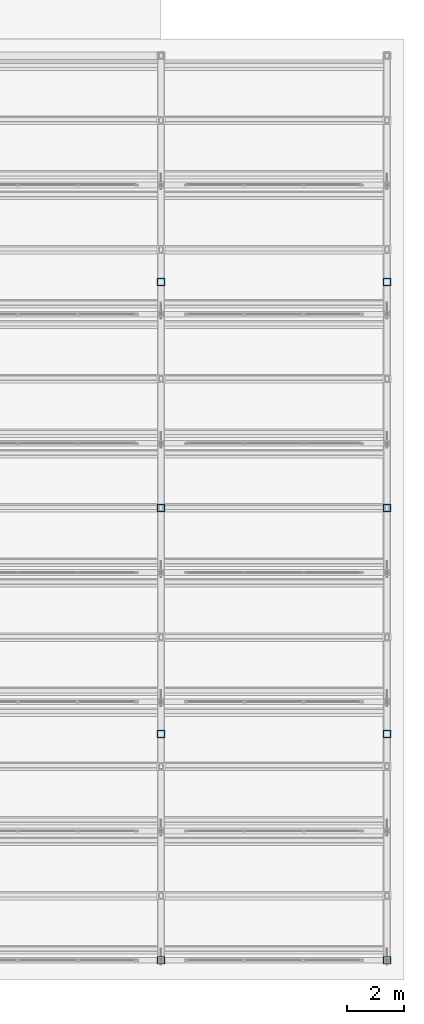
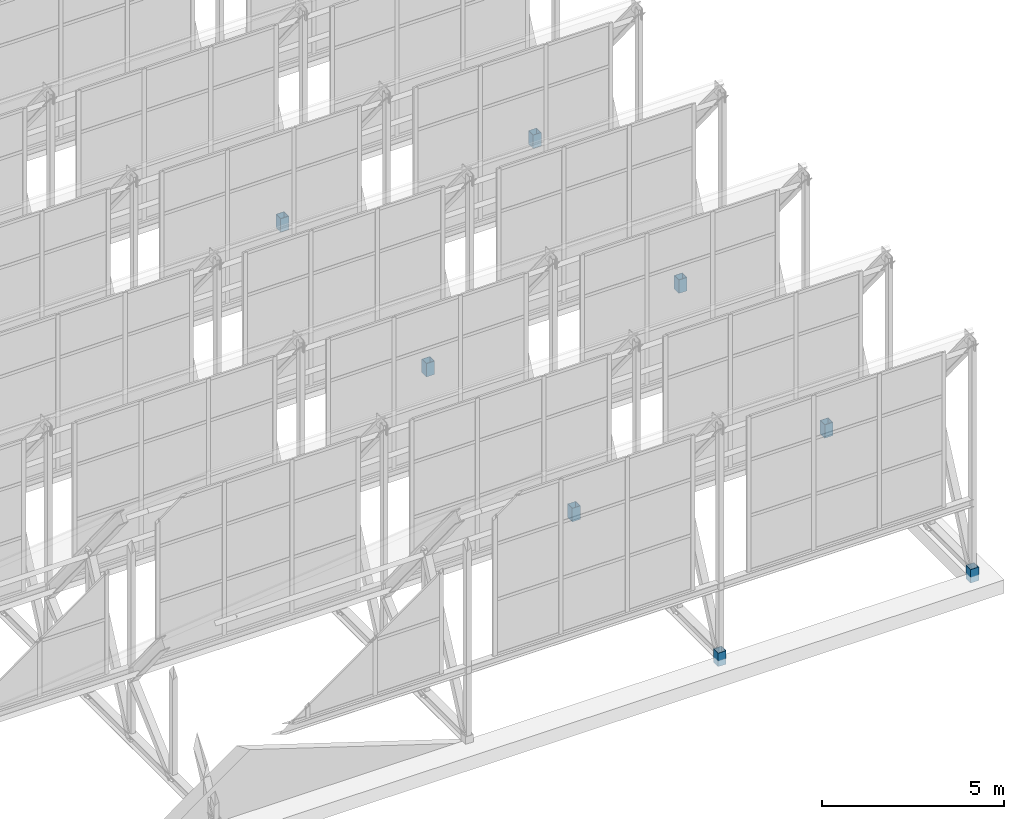
# One storey, part 3 of 34: 8 columns.
"""IFC4 building model written with IfcOpenShell, lengths in metres."""

from ifc_helpers import new_model, si_unit, direction, frame, origin, origin_2d, place, context, subcontext, project, spatial, hollow_rectangle, extrude, material, material_profile, profile_set, type_object, element, save


model = new_model("IFC4")

# Units and contexts
model_context = context("Model", 3, precision=1e-05, world=origin(), true_north=direction((0.0, 1.0)))
body_context = subcontext(model_context, "Body", "Model", "MODEL_VIEW")
ifc_project = project(units=[si_unit("LENGTHUNIT", "METRE"), si_unit("AREAUNIT", "SQUARE_METRE"), si_unit("VOLUMEUNIT", "CUBIC_METRE"), si_unit("PLANEANGLEUNIT", "RADIAN"), si_unit("MASSUNIT", "GRAM", prefix="KILO")], contexts=[model_context])

# Site, building, storey
site_placement = place(None, origin())
site = spatial("IfcSite", under=ifc_project, at=site_placement, CompositionType="ELEMENT")
building_placement = place(site_placement, origin())
building = spatial("IfcBuilding", under=site, at=building_placement, Name="Qorikala Patio Media Centre", CompositionType="ELEMENT")
storey_placement = place(building_placement, frame((0.0, 0.0, 32.699951171875)))
storey = spatial("IfcBuildingStorey", under=building, at=storey_placement, Name="RF", CompositionType="ELEMENT", Elevation=32.699951171875)

# Columns
ifc_material = material(Name="Steel S355", Category="steel")
ifc_material_profile = material_profile(ifc_material, hollow_rectangle(XDim=0.260009765625, YDim=0.260009765625, WallThickness=0.011962890625, at=origin_2d()), Name="HSS260X260X12")
ifc_profile_set = profile_set([ifc_material_profile], Name="Steel S355")
column_type = type_object("IfcColumnType", Name="SCOL-HSS260X260X12", PredefinedType="COLUMN", material=ifc_profile_set)
for number, where, z_axis, x_axis, name in (
    (1, (35.0, 3.0, 0.0), (0.0, 0.0, 1.0), (1.0, 0.0, 0.0), "SAW-V1 Truss Bearing Pedestal (35,3)"),
    (2, (35.0, 11.0, 0.0), (0.0, 0.0, 1.0), (1.0, 0.0, 0.0), "SAW-V1 Truss Bearing Pedestal (35,11)"),
    (3, (35.0, 19.0, 0.0), (0.0, 0.0, 1.0), (1.0, 0.0, 0.0), "SAW-V1 Truss Bearing Pedestal (35,19)"),
    (4, (35.0, 27.0, 0.0), (0.0, 0.0, 1.0), (1.0, 0.0, 0.0), "SAW-V1 Truss Bearing Pedestal (35,27)"),
    (5, (43.0, 3.0, 0.0), (0.0, 0.0, 1.0), (1.0, 0.0, 0.0), "SAW-V1 Truss Bearing Pedestal (43,3)"),
    (6, (43.0, 11.0, 0.0), (0.0, 0.0, 1.0), (1.0, 0.0, 0.0), "SAW-V1 Truss Bearing Pedestal (43,11)"),
    (7, (43.0, 19.0, 0.0), (0.0, 0.0, 1.0), (1.0, 0.0, 0.0), "SAW-V1 Truss Bearing Pedestal (43,19)"),
    (8, (43.0, 27.0, 0.0), (0.0, 0.0, 1.0), (1.0, 0.0, 0.0), "SAW-V1 Truss Bearing Pedestal (43,27)"),
):
    element("IfcColumn", number, at=place(storey_placement, frame(where, z_axis=z_axis, x_axis=x_axis)), inside=storey, type_object=column_type, Name=name, PredefinedType="COLUMN", context=body_context, shape_type="SweptSolid", body=[
        extrude(hollow_rectangle(XDim=0.260009765625, YDim=0.260009765625, WallThickness=0.011962890625, at=origin_2d()), origin(), (0.0, 0.0, 1.0), 0.449951171875),
    ])

save(model, "model.ifc")
